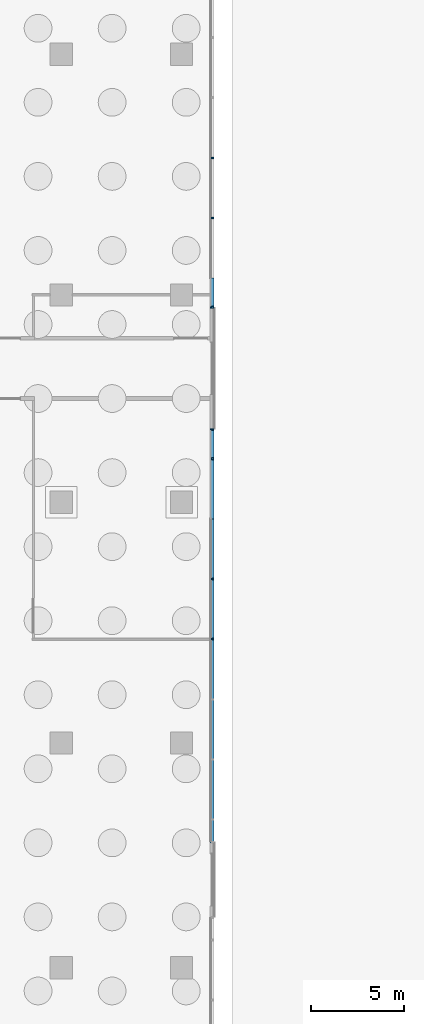
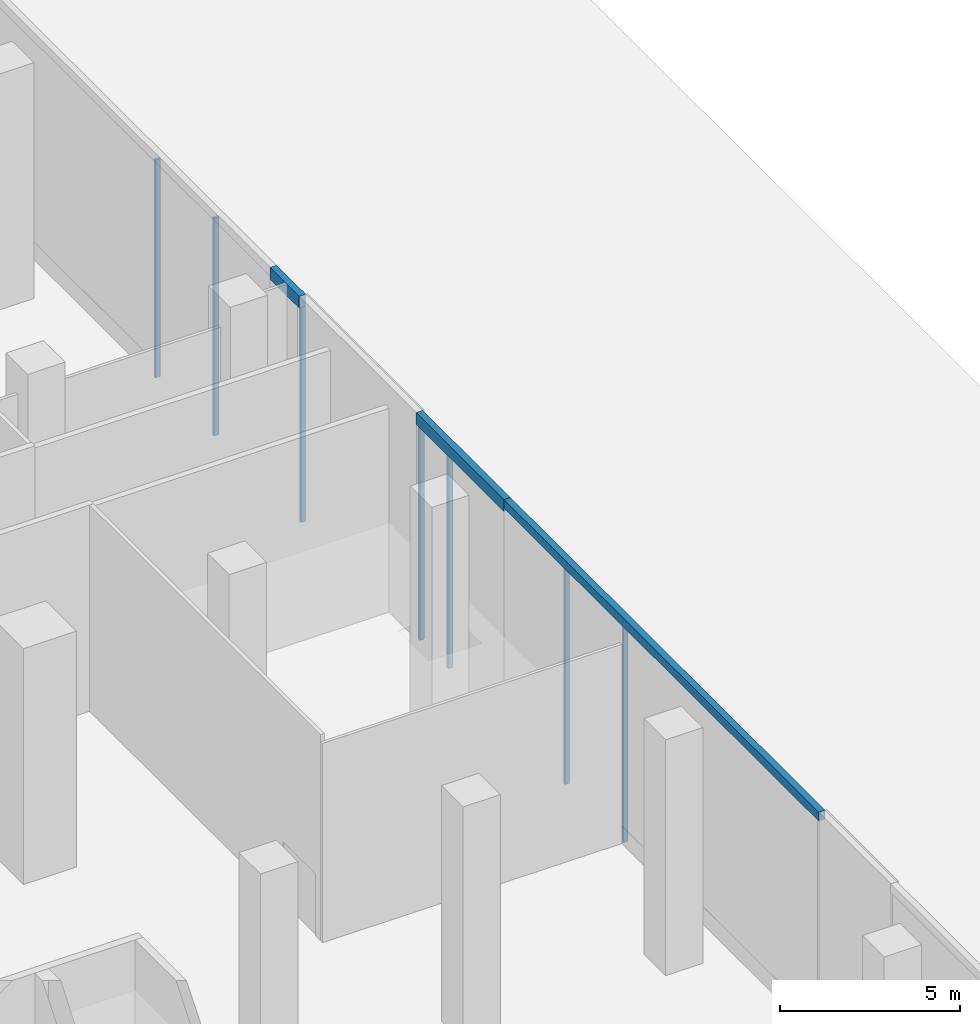
# One storey, part 8 of 27: 10 members, 4 elements without a shape of their own.
"""IFC4 building model written with IfcOpenShell, lengths in metres."""

import ifcopenshell
import ifcopenshell.guid

model = None  # the IFC model being written
_history = None  # IfcOwnerHistory: only IFC2X3 demands one
_inside = {}  # id of a spatial element -> (the spatial element, [elements in it])
_under = {}  # id of a project, library or spatial element -> (it, [spatial elements below it])
_declared = {}  # id of a project -> (the project, [libraries it declares])
_typed = {}  # id of a type object -> (the type object, [elements of that type])
_made_of = {}  # id of a material, layer set ... -> (it, [elements and type objects made of it])


def new_model(schema):
    """Start an empty IFC model of exactly this schema.

    Asked for "IFC4X3", IfcOpenShell would pick the latest addendum, in which some entities
    have other attributes; the version numbers below select the first issue.
    IFC2X3 requires an IfcOwnerHistory on every rooted entity: one is made here for all.
    """
    global model, _history
    if schema == "IFC4X3":
        model = ifcopenshell.file(schema_version=(4, 3, 0, 0))
    else:
        model = ifcopenshell.file(schema=schema)
    _inside.clear()
    _under.clear()
    _declared.clear()
    _typed.clear()
    _made_of.clear()
    _history = None
    if model.schema == "IFC2X3":
        org = make("IfcOrganization", Name="unknown")
        user = make(
            "IfcPersonAndOrganization",
            ThePerson=make("IfcPerson", FamilyName="unknown"),
            TheOrganization=org,
        )
        app = make(
            "IfcApplication",
            ApplicationDeveloper=org,
            Version="unknown",
            ApplicationFullName="unknown",
            ApplicationIdentifier="unknown",
        )
        _history = make(
            "IfcOwnerHistory",
            OwningUser=user,
            OwningApplication=app,
            ChangeAction="ADDED",
            CreationDate=0,
        )
    return model


def make(cls, **values):
    """One entity of the class cls with the attributes given. An attribute that is None is left unset."""
    return model.create_entity(
        cls, **{name: value for name, value in values.items() if value is not None}
    )


def rooted(cls, **values):
    """An entity with a GlobalId (a new one), such as an element, a storey or a relation."""
    return make(cls, GlobalId=ifcopenshell.guid.new(), OwnerHistory=_history, **values)


def si_unit(unit_type, name, prefix=None):
    """IfcSIUnit, for example si_unit("LENGTHUNIT", "METRE", prefix="MILLI")."""
    return make("IfcSIUnit", UnitType=unit_type, Prefix=prefix, Name=name)


def assignment(units):
    """IfcUnitAssignment: the units of a project."""
    return None if units is None else make("IfcUnitAssignment", Units=units)


def point(xyz):
    """IfcCartesianPoint."""
    return None if xyz is None else make("IfcCartesianPoint", Coordinates=xyz)


def direction(xyz):
    """IfcDirection."""
    return None if xyz is None else make("IfcDirection", DirectionRatios=xyz)


def frame(location, z_axis=None, x_axis=None):
    """IfcAxis2Placement3D, a coordinate frame: its origin and axes. An axis left out is left unset."""
    return make(
        "IfcAxis2Placement3D",
        Location=point(location),
        Axis=direction(z_axis),
        RefDirection=direction(x_axis),
    )


def frame_2d(location, x_axis=None):
    """IfcAxis2Placement2D, a coordinate frame in the plane: its origin and x axis."""
    return make(
        "IfcAxis2Placement2D", Location=point(location), RefDirection=direction(x_axis)
    )


def origin():
    """The frame at (0, 0, 0) with its axes left unset."""
    return frame((0.0, 0.0, 0.0))


def origin_2d():
    """The frame at (0, 0) in the plane with its x axis left unset."""
    return frame_2d((0.0, 0.0))


def place(relative_to, where):
    """IfcLocalPlacement: puts the frame where relative to a parent placement (None: the world)."""
    return make(
        "IfcLocalPlacement", PlacementRelTo=relative_to, RelativePlacement=where
    )


def context(
    kind, dimensions, precision=None, world=None, true_north=None, identifier=None
):
    """IfcGeometricRepresentationContext, for example the 3D "Model" context."""
    return make(
        "IfcGeometricRepresentationContext",
        ContextIdentifier=identifier,
        ContextType=kind,
        CoordinateSpaceDimension=dimensions,
        Precision=precision,
        WorldCoordinateSystem=world,
        TrueNorth=true_north,
    )


def subcontext(parent, identifier, kind, view, scale=None):
    """IfcGeometricRepresentationSubContext, for example "Body" below "Model"."""
    return make(
        "IfcGeometricRepresentationSubContext",
        ContextIdentifier=identifier,
        ContextType=kind,
        ParentContext=parent,
        TargetScale=scale,
        TargetView=view,
    )


def project(units=None, contexts=None):
    """IfcProject with its units and contexts."""
    return rooted(
        "IfcProject",
        Name="project",
        RepresentationContexts=contexts,
        UnitsInContext=assignment(units),
    )


def spatial(cls, under=None, at=None, **own):
    """A site, building, storey or space (cls), placed at a placement, below another one or the project."""
    s = rooted(cls, ObjectPlacement=at, **own)
    if under is not None:
        _under.setdefault(under.id(), (under, []))[1].append(s)
    return s


def polyline(points):
    """IfcPolyline through the points."""
    return make("IfcPolyline", Points=[point(p) for p in points])


def profile(cls, at=None, kind="AREA", **sizes):
    """A parametric profile (cls). Its sizes go by their IFC names, for example OverallWidth=200.0."""
    return make(cls, ProfileType=kind, Position=at, **sizes)


def rectangle(**sizes):
    """IfcRectangleProfileDef."""
    return profile("IfcRectangleProfileDef", **sizes)


def outline(outer, holes=None, kind="AREA"):
    """IfcArbitraryClosedProfileDef: a profile drawn as a closed curve; with holes, ...WithVoids."""
    if holes is None:
        return make("IfcArbitraryClosedProfileDef", ProfileType=kind, OuterCurve=outer)
    return make(
        "IfcArbitraryProfileDefWithVoids",
        ProfileType=kind,
        OuterCurve=outer,
        InnerCurves=holes,
    )


def extrude(swept, where, along, depth):
    """IfcExtrudedAreaSolid: the profile swept, set in the frame where, extruded along a direction by depth."""
    return make(
        "IfcExtrudedAreaSolid",
        SweptArea=swept,
        Position=where,
        ExtrudedDirection=direction(along),
        Depth=depth,
    )


def shape(context_of_items, identifier, shape_type, items):
    """IfcShapeRepresentation: the items that make up one representation, for example the "Body"."""
    return make(
        "IfcShapeRepresentation",
        ContextOfItems=context_of_items,
        RepresentationIdentifier=identifier,
        RepresentationType=shape_type,
        Items=items,
    )


def source(mapping_origin, context_of_items, identifier, shape_type, items):
    """IfcRepresentationMap: a shape defined once, which mapped items show again and again."""
    return make(
        "IfcRepresentationMap",
        MappingOrigin=mapping_origin,
        MappedRepresentation=shape(context_of_items, identifier, shape_type, items),
    )


def transform(
    local_origin,
    x_axis=None,
    y_axis=None,
    z_axis=None,
    scale=None,
    scale2=None,
    scale3=None,
    uniform=True,
):
    """IfcCartesianTransformationOperator3D, or its non-uniform kind. x_axis, y_axis, z_axis: its Axis1, 2, 3."""
    if uniform:
        return make(
            "IfcCartesianTransformationOperator3D",
            Axis1=direction(x_axis),
            Axis2=direction(y_axis),
            LocalOrigin=point(local_origin),
            Scale=scale,
            Axis3=direction(z_axis),
        )
    return make(
        "IfcCartesianTransformationOperator3DnonUniform",
        Axis1=direction(x_axis),
        Axis2=direction(y_axis),
        LocalOrigin=point(local_origin),
        Scale=scale,
        Axis3=direction(z_axis),
        Scale2=scale2,
        Scale3=scale3,
    )


def mapped(mapping_source, mapping_target):
    """IfcMappedItem: shows the shape of a source again, moved by a transform."""
    return make(
        "IfcMappedItem", MappingSource=mapping_source, MappingTarget=mapping_target
    )


def material(Name=None, Category=None):
    """IfcMaterial."""
    return make("IfcMaterial", Name=Name, Category=Category)


def layer(
    of_material, thickness, ventilated=None, Name=None, Category=None, Priority=None
):
    """IfcMaterialLayer: one layer of a wall or slab, of a material (None: an air gap)."""
    return make(
        "IfcMaterialLayer",
        Material=of_material,
        LayerThickness=thickness,
        IsVentilated=ventilated,
        Name=Name,
        Category=Category,
        Priority=Priority,
    )


def layer_set(layers, Name=None):
    """IfcMaterialLayerSet."""
    return make("IfcMaterialLayerSet", MaterialLayers=layers, LayerSetName=Name)


def material_profile(
    of_material, cross_section, Name=None, Category=None, Priority=None
):
    """IfcMaterialProfile: a cross section and its material."""
    return make(
        "IfcMaterialProfile",
        Name=Name,
        Material=of_material,
        Profile=cross_section,
        Priority=Priority,
        Category=Category,
    )


def profile_set(profiles, Name=None, composite=None):
    """IfcMaterialProfileSet."""
    return make(
        "IfcMaterialProfileSet",
        Name=Name,
        MaterialProfiles=profiles,
        CompositeProfile=composite,
    )


def made_of(thing, what):
    """Note that an element or type object is made of a material, layer set ...; save() writes the relation."""
    if what is not None:
        _made_of.setdefault(what.id(), (what, []))[1].append(thing)
    return thing


def type_object(cls, material=None, **own):
    """A type object (cls), such as IfcWallType, which elements share."""
    return made_of(rooted(cls, **own), material)


def element(
    cls,
    number,
    at=None,
    inside=None,
    cuts=None,
    type_object=None,
    material=None,
    context=None,
    identifier="Body",
    shape_type=None,
    held_by="IfcProductDefinitionShape",
    body=None,
    shapes=None,
    **own,
):
    """One element of the class cls, such as IfcWall. Its Tag is "e" and its number.

    at: its placement. inside: the storey or other place that contains it. cuts: it is an
    opening in that element (IfcRelVoidsElement). A single representation is given by context,
    identifier, shape_type and body (its items); several are given by shapes. held_by: the class
    of the entity that holds the representations. save() writes the other relations.
    """
    e = rooted(cls, Tag="e%d" % number, ObjectPlacement=at, **own)
    if body is not None:
        shapes = [shape(context, identifier, shape_type, body)]
    if shapes is not None:
        e.Representation = make(held_by, Representations=shapes)
    if inside is not None:
        _inside.setdefault(inside.id(), (inside, []))[1].append(e)
    if cuts is not None:
        rooted(
            "IfcRelVoidsElement", RelatingBuildingElement=cuts, RelatedOpeningElement=e
        )
    if type_object is not None:
        _typed.setdefault(type_object.id(), (type_object, []))[1].append(e)
    return made_of(e, material)


def aggregate(whole, parts):
    """IfcRelAggregates: a whole, such as a stair, and the parts it consists of."""
    return rooted("IfcRelAggregates", RelatingObject=whole, RelatedObjects=parts)


def save(model, path):
    """Write the relations noted so far, then the file.

    IfcRelAggregates (storeys below a building ...), IfcRelContainedInSpatialStructure (elements
    in a storey), IfcRelDefinesByType, IfcRelAssociatesMaterial and IfcRelDeclares: one each for
    every whole, place, type object, material and project.
    """
    for whole, parts in _under.values():
        aggregate(whole, parts)
    for where, things in _inside.values():
        rooted(
            "IfcRelContainedInSpatialStructure",
            RelatedElements=things,
            RelatingStructure=where,
        )
    for kind, things in _typed.values():
        rooted("IfcRelDefinesByType", RelatedObjects=things, RelatingType=kind)
    for what, things in _made_of.values():
        rooted("IfcRelAssociatesMaterial", RelatedObjects=things, RelatingMaterial=what)
    for by, libraries in _declared.values():
        rooted("IfcRelDeclares", RelatingContext=by, RelatedDefinitions=libraries)
    model.write(path)


model = new_model("IFC4")

# Units and contexts
model_context = context("Model", 3, precision=1e-05, world=origin(), true_north=direction((0.0, 1.0)))
body_context = subcontext(model_context, "Body", "Model", "MODEL_VIEW")
ifc_project = project(units=[si_unit("LENGTHUNIT", "METRE"), si_unit("AREAUNIT", "SQUARE_METRE"), si_unit("VOLUMEUNIT", "CUBIC_METRE"), si_unit("PLANEANGLEUNIT", "RADIAN"), si_unit("MASSUNIT", "GRAM", prefix="KILO")], contexts=[model_context])

# Site, building, storey
site_placement = place(None, origin())
site = spatial("IfcSite", under=ifc_project, at=site_placement, CompositionType="ELEMENT")
building_placement = place(site_placement, origin())
building = spatial("IfcBuilding", under=site, at=building_placement, Name="Trellis Farm Tower", CompositionType="ELEMENT")
storey_placement = place(building_placement, origin())
storey = spatial("IfcBuildingStorey", under=building, at=storey_placement, Name="L00", CompositionType="ELEMENT", Elevation=0.0)

# Curtain wall, member
ifc_material_1 = material(Name="Aluminium and glass curtain wall", Category="aluminium")
ifc_layer_1 = layer(ifc_material_1, 0.201904296875)
ifc_layer_set_1 = layer_set([ifc_layer_1], Name="SHOPFRONT CURTAIN WALL CW2")
curtain_wall_type_1 = type_object("IfcCurtainWallType", Name="SHOPFRONT CURTAIN WALL CW2", PredefinedType="NOTDEFINED", material=ifc_layer_set_1)
placement_1 = place(storey_placement, origin())
curtain_wall_1 = element("IfcCurtainWall", 1, at=placement_1, inside=storey, type_object=curtain_wall_type_1, Name="CW2 002", PredefinedType="NOTDEFINED")
ifc_material_2 = material(Name="Aluminium extrusion 6063-T6", Category="aluminium")
ifc_layer_2 = layer(ifc_material_2, 0.205078125)
ifc_layer_set_2 = layer_set([ifc_layer_2], Name="Aluminium extrusion 6063-T6")
member_type_1 = type_object("IfcMemberType", Name="CW2 TRANSOM 205x300", PredefinedType="USERDEFINED", material=ifc_layer_set_2)
member_1_placement = place(storey_placement, frame((0.0, 0.0, 7.39990234375)))
member_1 = element("IfcMember", 2, at=member_1_placement, type_object=member_type_1, Name="TR2 002", ObjectType="TRANSOM", PredefinedType="USERDEFINED", context=body_context, shape_type="SweptSolid", body=[
    extrude(outline(polyline([(45.5, -24.0), (45.5, -6.5), (45.294921875, -6.5), (45.294921875, -24.0), (45.5, -24.0)])), origin(), (0.0, 0.0, 1.0), 0.300048828125),
])

ifc_layer_3 = layer(ifc_material_1, 0.2099609375)
ifc_layer_set_3 = layer_set([ifc_layer_3], Name="LOBBY CURTAIN WALL CW4")
curtain_wall_type_2 = type_object("IfcCurtainWallType", Name="LOBBY CURTAIN WALL CW4", PredefinedType="NOTDEFINED", material=ifc_layer_set_3)
curtain_wall_2 = element("IfcCurtainWall", 3, at=placement_1, inside=storey, type_object=curtain_wall_type_2, Name="CW4 001", PredefinedType="NOTDEFINED")
ifc_layer_4 = layer(ifc_material_2, 0.2099609375)
ifc_layer_set_4 = layer_set([ifc_layer_4], Name="Aluminium extrusion 6063-T6")
member_type_2 = type_object("IfcMemberType", Name="CW4 TRANSOM 210x400", PredefinedType="USERDEFINED", material=ifc_layer_set_4)
placement_2 = place(storey_placement, frame((0.0, 0.0, 7.300048828125)))
member_2 = element("IfcMember", 4, at=placement_2, type_object=member_type_2, Name="TR4 001", ObjectType="TRANSOM", PredefinedType="USERDEFINED", context=body_context, shape_type="SweptSolid", body=[
    extrude(outline(polyline([(45.5, -6.5), (45.5, -1.625), (45.2900390625, -1.625), (45.2900390625, -6.5), (45.5, -6.5)])), origin(), (0.0, 0.0, 1.0), 0.39990234375),
])

curtain_wall_3 = element("IfcCurtainWall", 5, at=placement_1, inside=storey, type_object=curtain_wall_type_2, Name="CW4 002", PredefinedType="NOTDEFINED")
member_3 = element("IfcMember", 6, at=placement_2, type_object=member_type_2, Name="TR4 002", ObjectType="TRANSOM", PredefinedType="USERDEFINED", context=body_context, shape_type="SweptSolid", body=[
    extrude(outline(polyline([(45.5, 4.875), (45.5, 6.5), (45.2900390625, 6.5), (45.2900390625, 4.875), (45.5, 4.875)])), origin(), (0.0, 0.0, 1.0), 0.39990234375),
])

# Member
ifc_material_profile_1 = material_profile(ifc_material_2, rectangle(XDim=0.080078125, YDim=0.14990234375, at=origin_2d()), Name="MULLION 80x150")
ifc_profile_set_1 = profile_set([ifc_material_profile_1], Name="Aluminium extrusion 6063-T6")
member_type_3 = type_object("IfcMemberType", Name="CW2 MULLION 80x150", PredefinedType="MULLION", material=ifc_profile_set_1)
shared_shape_1 = source(origin(), body_context, "Body", "SweptSolid", [
    extrude(rectangle(XDim=0.080078125, YDim=0.14990234375, at=origin_2d()), origin(), (0.0, 0.0, 1.0), 7.39990234375),
])
member_4_placement = place(storey_placement, frame((45.425048828125, -13.0, 0.0), z_axis=(0.0, 0.0, 1.0), x_axis=(0.0, 1.0, 0.0)))
member_4 = element("IfcMember", 7, at=member_4_placement, type_object=member_type_3, Name="MU2 002-05", PredefinedType="MULLION", context=body_context, shape_type="MappedRepresentation", body=[
    mapped(shared_shape_1, transform((0.0, 0.0, 0.0))),
])

member_5_placement = place(storey_placement, frame((45.425048828125, -9.75, 0.0), z_axis=(0.0, 0.0, 1.0), x_axis=(0.0, 1.0, 0.0)))
member_5 = element("IfcMember", 8, at=member_5_placement, type_object=member_type_3, Name="MU2 002-06", PredefinedType="MULLION", context=body_context, shape_type="MappedRepresentation", body=[
    mapped(shared_shape_1, transform((0.0, 0.0, 0.0))),
])

aggregate(curtain_wall_1, [member_4, member_5, member_1])

# Curtain wall, members
curtain_wall_4 = element("IfcCurtainWall", 9, at=placement_1, inside=storey, type_object=curtain_wall_type_1, Name="CW2 003", PredefinedType="NOTDEFINED")
member_6_placement = place(storey_placement, frame((45.425048828125, 9.75, 0.0), z_axis=(0.0, 0.0, 1.0), x_axis=(0.0, 1.0, 0.0)))
member_6 = element("IfcMember", 10, at=member_6_placement, type_object=member_type_3, Name="MU2 003-01", PredefinedType="MULLION", context=body_context, shape_type="MappedRepresentation", body=[
    mapped(shared_shape_1, transform((0.0, 0.0, 0.0))),
])
member_7_placement = place(storey_placement, frame((45.425048828125, 13.0, 0.0), z_axis=(0.0, 0.0, 1.0), x_axis=(0.0, 1.0, 0.0)))
member_7 = element("IfcMember", 11, at=member_7_placement, type_object=member_type_3, Name="MU2 003-02", PredefinedType="MULLION", context=body_context, shape_type="MappedRepresentation", body=[
    mapped(shared_shape_1, transform((0.0, 0.0, 0.0))),
])
aggregate(curtain_wall_4, [member_6, member_7])

# Member
ifc_material_profile_2 = material_profile(ifc_material_2, rectangle(XDim=0.10009765625, YDim=0.14990234375, at=origin_2d()), Name="MULLION 100x150")
ifc_profile_set_2 = profile_set([ifc_material_profile_2], Name="Aluminium extrusion 6063-T6")
member_type_4 = type_object("IfcMemberType", Name="CW4 MULLION 100x150", PredefinedType="MULLION", material=ifc_profile_set_2)
shared_shape_2 = source(origin(), body_context, "Body", "SweptSolid", [
    extrude(rectangle(XDim=0.10009765625, YDim=0.14990234375, at=origin_2d()), origin(), (0.0, 0.0, 1.0), 7.300048828125),
])
member_8_placement = place(storey_placement, frame((45.425048828125, -3.25, 0.0), z_axis=(0.0, 0.0, 1.0), x_axis=(0.0, 1.0, 0.0)))
member_8 = element("IfcMember", 12, at=member_8_placement, type_object=member_type_4, Name="MU4 001-01", PredefinedType="MULLION", context=body_context, shape_type="MappedRepresentation", body=[
    mapped(shared_shape_2, transform((0.0, 0.0, 0.0))),
])

member_9_placement = place(storey_placement, frame((45.425048828125, -1.675048828125, 0.0), z_axis=(0.0, 0.0, 1.0), x_axis=(0.0, 1.0, 0.0)))
member_9 = element("IfcMember", 13, at=member_9_placement, type_object=member_type_4, Name="MU4 001-02", PredefinedType="MULLION", context=body_context, shape_type="MappedRepresentation", body=[
    mapped(shared_shape_2, transform((0.0, 0.0, 0.0))),
])

aggregate(curtain_wall_2, [member_8, member_9, member_2])

member_10_placement = place(storey_placement, frame((45.425048828125, 4.925048828125, 0.0), z_axis=(0.0, 0.0, 1.0), x_axis=(0.0, 1.0, 0.0)))
member_10 = element("IfcMember", 14, at=member_10_placement, type_object=member_type_4, Name="MU4 002-01", PredefinedType="MULLION", context=body_context, shape_type="MappedRepresentation", body=[
    mapped(shared_shape_2, transform((0.0, 0.0, 0.0))),
])

aggregate(curtain_wall_3, [member_10, member_3])

save(model, "model.ifc")
